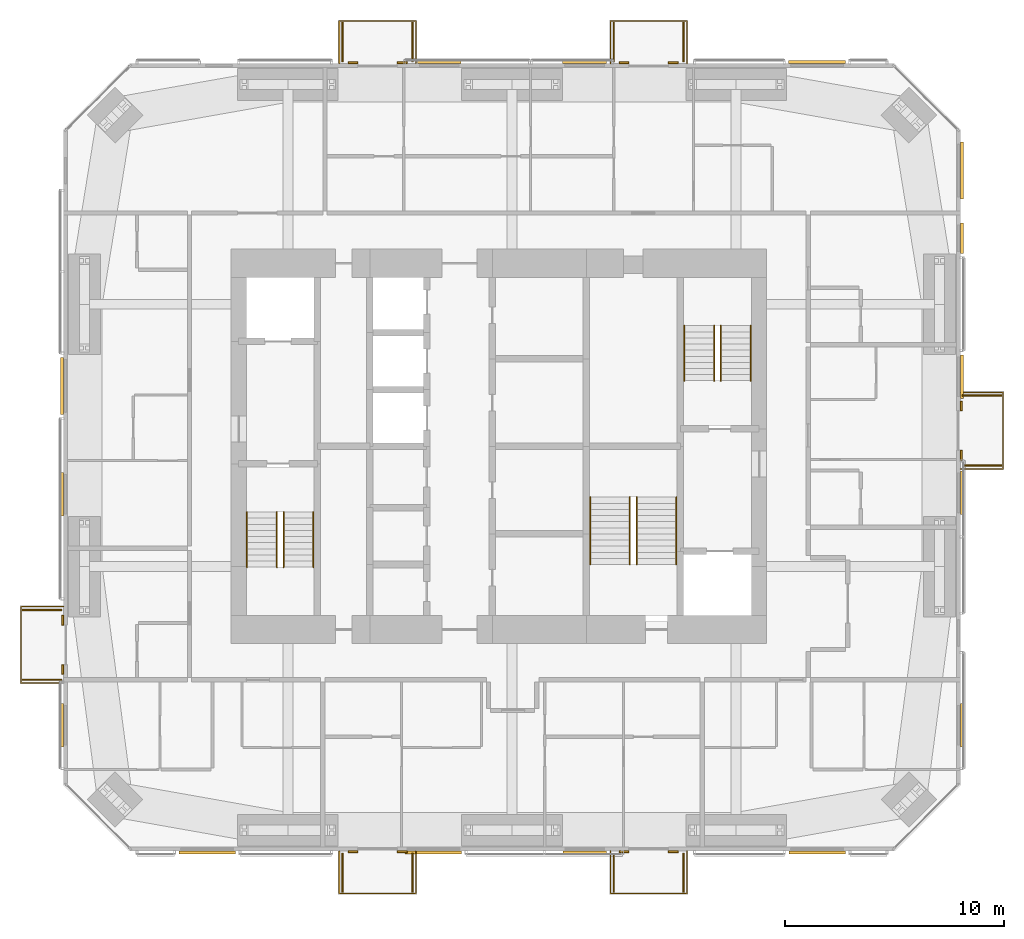
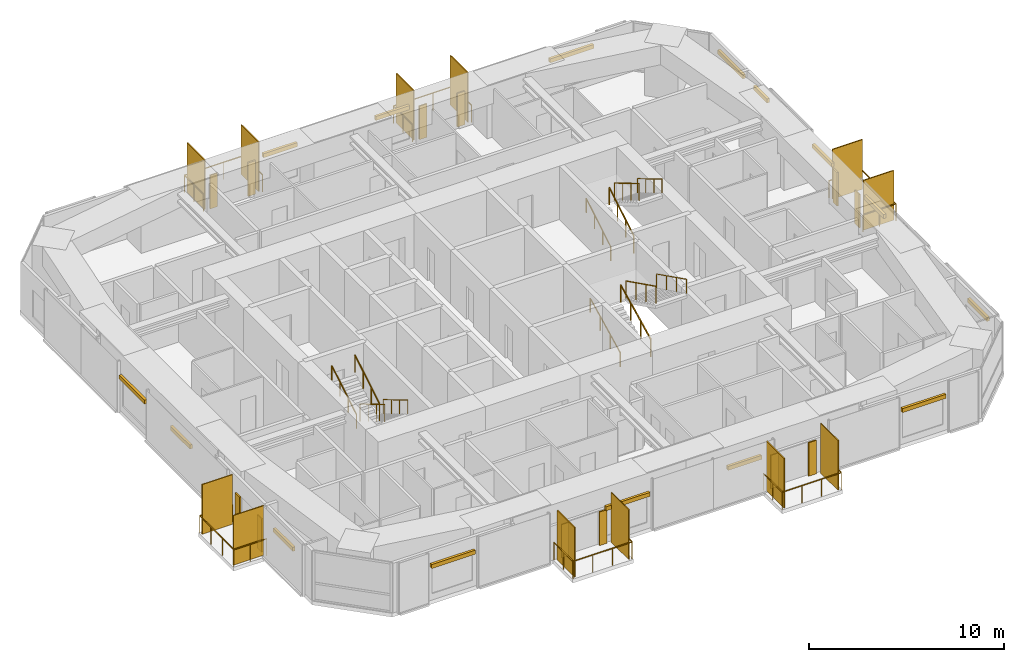
# One storey, part 22 of 22: 39 shading devices, 18 railings.
"""IFC4 building model written with IfcOpenShell, lengths in metres."""

from ifc_helpers import new_model, si_unit, direction, frame, origin, origin_2d, place, context, subcontext, project, spatial, rectangle, circle, extrude, material, layer, layer_set, constituent, constituent_set, type_object, element, save


model = new_model("IFC4")

# Units and contexts
model_context = context("Model", 3, precision=1e-05, world=origin(), true_north=direction((0.0, 1.0)))
body_context = subcontext(model_context, "Body", "Model", "MODEL_VIEW")
ifc_project = project(units=[si_unit("LENGTHUNIT", "METRE"), si_unit("AREAUNIT", "SQUARE_METRE"), si_unit("VOLUMEUNIT", "CUBIC_METRE"), si_unit("PLANEANGLEUNIT", "RADIAN"), si_unit("MASSUNIT", "GRAM", prefix="KILO")], contexts=[model_context])

# Site, building, storey
site_placement = place(None, origin())
site = spatial("IfcSite", under=ifc_project, at=site_placement, CompositionType="ELEMENT")
building_placement = place(site_placement, origin())
building = spatial("IfcBuilding", under=site, at=building_placement, Name="Jalousie Tower", CompositionType="ELEMENT")
storey_placement = place(building_placement, frame((0.0, 0.0, 174.449951171875)))
storey = spatial("IfcBuildingStorey", under=building, at=storey_placement, Name="L47", CompositionType="ELEMENT", Elevation=174.449951171875)

# Shading devices
ifc_material_1 = material(Name="Aluminium impact-rated louvred storm shutter", Category="aluminium")
shading_device_type_1 = type_object("IfcShadingDeviceType", Name="BI-FOLD STORM SHUTTER 900x2100", PredefinedType="SHUTTER", material=ifc_material_1)
for number, where, z_axis, x_axis, name in (
    (1, (25.22509765625, -0.0400390625, 0.0), (0.0, 0.0, 1.0), (1.0, 0.0, 0.0), "Balcony storm shutter L47"),
    (2, (27.47509765625, -0.0400390625, 0.0), (0.0, 0.0, 1.0), (1.0, 0.0, 0.0), "Balcony storm shutter L47"),
    (3, (37.625, -0.0400390625, 0.0), (0.0, 0.0, 1.0), (1.0, 0.0, 0.0), "Balcony storm shutter L47"),
    (4, (39.875, -0.0400390625, 0.0), (0.0, 0.0, 1.0), (1.0, 0.0, 0.0), "Balcony storm shutter L47"),
    (5, (53.0400390625, 18.10009765625, 0.0), (0.0, 0.0, 1.0), (0.0, 1.0, 0.0), "Balcony storm shutter L47"),
    (6, (53.0400390625, 20.35009765625, 0.0), (0.0, 0.0, 1.0), (0.0, 1.0, 0.0), "Balcony storm shutter L47"),
    (7, (39.875, 36.0400390625, 0.0), (0.0, 0.0, 1.0), (-1.0, 0.0, 0.0), "Balcony storm shutter L47"),
    (8, (37.625, 36.0400390625, 0.0), (0.0, 0.0, 1.0), (-1.0, 0.0, 0.0), "Balcony storm shutter L47"),
    (9, (27.47509765625, 36.0400390625, 0.0), (0.0, 0.0, 1.0), (-1.0, 0.0, 0.0), "Balcony storm shutter L47"),
    (10, (25.22509765625, 36.0400390625, 0.0), (0.0, 0.0, 1.0), (-1.0, 0.0, 0.0), "Balcony storm shutter L47"),
    (11, (11.9599609375, 10.550048828125, 0.0), (0.0, 0.0, 1.0), (0.0, -1.0, 0.0), "Balcony storm shutter L47"),
    (12, (11.9599609375, 8.300048828125, 0.0), (0.0, 0.0, 1.0), (0.0, -1.0, 0.0), "Balcony storm shutter L47"),
):
    element("IfcShadingDevice", number, at=place(storey_placement, frame(where, z_axis=z_axis, x_axis=x_axis)), inside=storey, type_object=shading_device_type_1, Name=name, PredefinedType="SHUTTER", context=body_context, shape_type="SweptSolid", body=[
        extrude(rectangle(XDim=0.449951171875, YDim=0.080078125, at=origin_2d()), origin(), (0.0, 0.0, 1.0), 2.10009765625),
    ])

# Railings
ifc_material_2 = material(Name="Powder-coated aluminium fretwork", Category="aluminium")
railing_type_1 = type_object("IfcRailingType", Name="FRETWORK BALUSTRADE 1100", PredefinedType="BALUSTRADE", material=ifc_material_2)
for number, where, name in (
    (13, (24.60009765625, 0.0, 0.0), "Balcony fretwork balustrade L47"),
    (14, (37.0, 0.0, 0.0), "Balcony fretwork balustrade L47"),
):
    element("IfcRailing", number, at=place(storey_placement, frame(where)), inside=storey, type_object=railing_type_1, Name=name, PredefinedType="BALUSTRADE", context=body_context, shape_type="SweptSolid", body=[
        extrude(rectangle(XDim=0.048095703125, YDim=0.048095703125, at=origin_2d()), frame((0.0, 0.0, 1.076171875), z_axis=(0.0, -1.0, 0.0), x_axis=(1.0, 0.0, 0.0)), (0.0, 0.0, 1.0), 1.949951171875),
        extrude(rectangle(XDim=0.048095703125, YDim=0.048095703125, at=origin_2d()), frame((0.0, -1.949951171875, 1.076171875), z_axis=(1.0, 0.0, 0.0), x_axis=(0.0, 1.0, 0.0)), (0.0, 0.0, 1.0), 3.5),
        extrude(rectangle(XDim=0.048095703125, YDim=0.048095703125, at=origin_2d()), frame((3.5, -1.949951171875, 1.076171875), z_axis=(0.0, 1.0, 0.0), x_axis=(-1.0, 0.0, 0.0)), (0.0, 0.0, 1.0), 1.949951171875),
        extrude(circle(Radius=0.02099609375, at=origin_2d()), origin(), (0.0, 0.0, 1.0), 1.052001953125),
        extrude(circle(Radius=0.02099609375, at=origin_2d()), frame((0.0, -0.97509765625, 0.0)), (0.0, 0.0, 1.0), 1.052001953125),
        extrude(circle(Radius=0.02099609375, at=origin_2d()), frame((0.0, -1.949951171875, 0.0)), (0.0, 0.0, 1.0), 1.052001953125),
        extrude(circle(Radius=0.02099609375, at=origin_2d()), frame((1.166748046875, -1.949951171875, 0.0)), (0.0, 0.0, 1.0), 1.052001953125),
        extrude(circle(Radius=0.02099609375, at=origin_2d()), frame((2.333251953125, -1.949951171875, 0.0)), (0.0, 0.0, 1.0), 1.052001953125),
        extrude(circle(Radius=0.02099609375, at=origin_2d()), frame((3.5, -1.949951171875, 0.0)), (0.0, 0.0, 1.0), 1.052001953125),
        extrude(circle(Radius=0.02099609375, at=origin_2d()), frame((3.5, -0.97509765625, 0.0)), (0.0, 0.0, 1.0), 1.052001953125),
        extrude(circle(Radius=0.02099609375, at=origin_2d()), frame((3.5, 0.0, 0.0)), (0.0, 0.0, 1.0), 1.052001953125),
    ])
railing_1_placement = place(storey_placement, frame((53.0, 17.47509765625, 0.0)))
element("IfcRailing", 15, at=railing_1_placement, inside=storey, type_object=railing_type_1, Name="Balcony fretwork balustrade L47", PredefinedType="BALUSTRADE", context=body_context, shape_type="SweptSolid", body=[
    extrude(rectangle(XDim=0.048095703125, YDim=0.048095703125, at=origin_2d()), frame((0.0, 0.0, 1.076171875), z_axis=(1.0, 0.0, 0.0), x_axis=(0.0, 1.0, 0.0)), (0.0, 0.0, 1.0), 1.949951171875),
    extrude(rectangle(XDim=0.048095703125, YDim=0.048095703125, at=origin_2d()), frame((1.949951171875, 0.0, 1.076171875), z_axis=(0.0, 1.0, 0.0), x_axis=(-1.0, 0.0, 0.0)), (0.0, 0.0, 1.0), 3.5),
    extrude(rectangle(XDim=0.048095703125, YDim=0.048095703125, at=origin_2d()), frame((1.949951171875, 3.5, 1.076171875), z_axis=(-1.0, 0.0, 0.0), x_axis=(0.0, -1.0, 0.0)), (0.0, 0.0, 1.0), 1.949951171875),
    extrude(circle(Radius=0.02099609375, at=origin_2d()), origin(), (0.0, 0.0, 1.0), 1.052001953125),
    extrude(circle(Radius=0.02099609375, at=origin_2d()), frame((0.97509765625, 0.0, 0.0)), (0.0, 0.0, 1.0), 1.052001953125),
    extrude(circle(Radius=0.02099609375, at=origin_2d()), frame((1.949951171875, 0.0, 0.0)), (0.0, 0.0, 1.0), 1.052001953125),
    extrude(circle(Radius=0.02099609375, at=origin_2d()), frame((1.949951171875, 1.166748046875, 0.0)), (0.0, 0.0, 1.0), 1.052001953125),
    extrude(circle(Radius=0.02099609375, at=origin_2d()), frame((1.949951171875, 2.333251953125, 0.0)), (0.0, 0.0, 1.0), 1.052001953125),
    extrude(circle(Radius=0.02099609375, at=origin_2d()), frame((1.949951171875, 3.5, 0.0)), (0.0, 0.0, 1.0), 1.052001953125),
    extrude(circle(Radius=0.02099609375, at=origin_2d()), frame((0.97509765625, 3.5, 0.0)), (0.0, 0.0, 1.0), 1.052001953125),
    extrude(circle(Radius=0.02099609375, at=origin_2d()), frame((0.0, 3.5, 0.0)), (0.0, 0.0, 1.0), 1.052001953125),
])
for number, where, name in (
    (16, (40.5, 36.0, 0.0), "Balcony fretwork balustrade L47"),
    (17, (28.10009765625, 36.0, 0.0), "Balcony fretwork balustrade L47"),
):
    element("IfcRailing", number, at=place(storey_placement, frame(where)), inside=storey, type_object=railing_type_1, Name=name, PredefinedType="BALUSTRADE", context=body_context, shape_type="SweptSolid", body=[
        extrude(rectangle(XDim=0.048095703125, YDim=0.048095703125, at=origin_2d()), frame((0.0, 0.0, 1.076171875), z_axis=(0.0, 1.0, 0.0), x_axis=(-1.0, 0.0, 0.0)), (0.0, 0.0, 1.0), 1.949951171875),
        extrude(rectangle(XDim=0.048095703125, YDim=0.048095703125, at=origin_2d()), frame((0.0, 1.949951171875, 1.076171875), z_axis=(-1.0, 0.0, 0.0), x_axis=(0.0, -1.0, 0.0)), (0.0, 0.0, 1.0), 3.5),
        extrude(rectangle(XDim=0.048095703125, YDim=0.048095703125, at=origin_2d()), frame((-3.5, 1.949951171875, 1.076171875), z_axis=(0.0, -1.0, 0.0), x_axis=(1.0, 0.0, 0.0)), (0.0, 0.0, 1.0), 1.949951171875),
        extrude(circle(Radius=0.02099609375, at=origin_2d()), origin(), (0.0, 0.0, 1.0), 1.052001953125),
        extrude(circle(Radius=0.02099609375, at=origin_2d()), frame((0.0, 0.97509765625, 0.0)), (0.0, 0.0, 1.0), 1.052001953125),
        extrude(circle(Radius=0.02099609375, at=origin_2d()), frame((0.0, 1.949951171875, 0.0)), (0.0, 0.0, 1.0), 1.052001953125),
        extrude(circle(Radius=0.02099609375, at=origin_2d()), frame((-1.166748046875, 1.949951171875, 0.0)), (0.0, 0.0, 1.0), 1.052001953125),
        extrude(circle(Radius=0.02099609375, at=origin_2d()), frame((-2.333251953125, 1.949951171875, 0.0)), (0.0, 0.0, 1.0), 1.052001953125),
        extrude(circle(Radius=0.02099609375, at=origin_2d()), frame((-3.5, 1.949951171875, 0.0)), (0.0, 0.0, 1.0), 1.052001953125),
        extrude(circle(Radius=0.02099609375, at=origin_2d()), frame((-3.5, 0.97509765625, 0.0)), (0.0, 0.0, 1.0), 1.052001953125),
        extrude(circle(Radius=0.02099609375, at=origin_2d()), frame((-3.5, 0.0, 0.0)), (0.0, 0.0, 1.0), 1.052001953125),
    ])
railing_2_placement = place(storey_placement, frame((12.0, 11.175048828125, 0.0)))
element("IfcRailing", 18, at=railing_2_placement, inside=storey, type_object=railing_type_1, Name="Balcony fretwork balustrade L47", PredefinedType="BALUSTRADE", context=body_context, shape_type="SweptSolid", body=[
    extrude(rectangle(XDim=0.048095703125, YDim=0.048095703125, at=origin_2d()), frame((0.0, 0.0, 1.076171875), z_axis=(-1.0, 0.0, 0.0), x_axis=(0.0, -1.0, 0.0)), (0.0, 0.0, 1.0), 1.949951171875),
    extrude(rectangle(XDim=0.048095703125, YDim=0.048095703125, at=origin_2d()), frame((-1.949951171875, 0.0, 1.076171875), z_axis=(0.0, -1.0, 0.0), x_axis=(1.0, 0.0, 0.0)), (0.0, 0.0, 1.0), 3.5),
    extrude(rectangle(XDim=0.048095703125, YDim=0.048095703125, at=origin_2d()), frame((-1.949951171875, -3.5, 1.076171875), z_axis=(1.0, 0.0, 0.0), x_axis=(0.0, 1.0, 0.0)), (0.0, 0.0, 1.0), 1.949951171875),
    extrude(circle(Radius=0.02099609375, at=origin_2d()), origin(), (0.0, 0.0, 1.0), 1.052001953125),
    extrude(circle(Radius=0.02099609375, at=origin_2d()), frame((-0.97509765625, 0.0, 0.0)), (0.0, 0.0, 1.0), 1.052001953125),
    extrude(circle(Radius=0.02099609375, at=origin_2d()), frame((-1.949951171875, 0.0, 0.0)), (0.0, 0.0, 1.0), 1.052001953125),
    extrude(circle(Radius=0.02099609375, at=origin_2d()), frame((-1.949951171875, -1.166748046875, 0.0)), (0.0, 0.0, 1.0), 1.052001953125),
    extrude(circle(Radius=0.02099609375, at=origin_2d()), frame((-1.949951171875, -2.333251953125, 0.0)), (0.0, 0.0, 1.0), 1.052001953125),
    extrude(circle(Radius=0.02099609375, at=origin_2d()), frame((-1.949951171875, -3.5, 0.0)), (0.0, 0.0, 1.0), 1.052001953125),
    extrude(circle(Radius=0.02099609375, at=origin_2d()), frame((-0.97509765625, -3.5, 0.0)), (0.0, 0.0, 1.0), 1.052001953125),
    extrude(circle(Radius=0.02099609375, at=origin_2d()), frame((0.0, -3.5, 0.0)), (0.0, 0.0, 1.0), 1.052001953125),
])

# Shading devices
ifc_material_3 = material(Name="Powder-coated aluminium louvres", Category="aluminium")
ifc_layer = layer(ifc_material_3, 0.06005859375)
ifc_layer_set = layer_set([ifc_layer], Name="Powder-coated aluminium louvres")
shading_device_type_2 = type_object("IfcShadingDeviceType", Name="JALOUSIE LOUVRE SCREEN", PredefinedType="JALOUSIE", material=ifc_layer_set)
for number, where, z_axis, x_axis, name in (
    (19, (24.75, -1.0, 0.0), (0.0, 0.0, 1.0), (1.0, 0.0, 0.0), "Jalousie louvre screen L47"),
    (20, (27.949951171875, -1.0, 0.0), (0.0, 0.0, 1.0), (1.0, 0.0, 0.0), "Jalousie louvre screen L47"),
    (21, (37.14990234375, -1.0, 0.0), (0.0, 0.0, 1.0), (1.0, 0.0, 0.0), "Jalousie louvre screen L47"),
    (22, (40.35009765625, -1.0, 0.0), (0.0, 0.0, 1.0), (1.0, 0.0, 0.0), "Jalousie louvre screen L47"),
    (23, (54.0, 17.625, 0.0), (0.0, 0.0, 1.0), (0.0, 1.0, 0.0), "Jalousie louvre screen L47"),
    (24, (54.0, 20.824951171875, 0.0), (0.0, 0.0, 1.0), (0.0, 1.0, 0.0), "Jalousie louvre screen L47"),
    (25, (40.35009765625, 37.0, 0.0), (0.0, 0.0, 1.0), (-1.0, 0.0, 0.0), "Jalousie louvre screen L47"),
    (26, (37.14990234375, 37.0, 0.0), (0.0, 0.0, 1.0), (-1.0, 0.0, 0.0), "Jalousie louvre screen L47"),
    (27, (27.949951171875, 37.0, 0.0), (0.0, 0.0, 1.0), (-1.0, 0.0, 0.0), "Jalousie louvre screen L47"),
    (28, (24.75, 37.0, 0.0), (0.0, 0.0, 1.0), (-1.0, 0.0, 0.0), "Jalousie louvre screen L47"),
    (29, (11.0, 11.02490234375, 0.0), (0.0, 0.0, 1.0), (0.0, -1.0, 0.0), "Jalousie louvre screen L47"),
    (30, (11.0, 7.824951171875, 0.0), (0.0, 0.0, 1.0), (0.0, -1.0, 0.0), "Jalousie louvre screen L47"),
):
    element("IfcShadingDevice", number, at=place(storey_placement, frame(where, z_axis=z_axis, x_axis=x_axis)), inside=storey, type_object=shading_device_type_2, Name=name, PredefinedType="JALOUSIE", context=body_context, shape_type="SweptSolid", body=[
        extrude(rectangle(XDim=0.06005859375, YDim=1.800048828125, at=origin_2d()), origin(), (0.0, 0.0, 1.0), 3.110107421875),
    ])

# Railings
ifc_material_4 = material(Name="Steel ASTM A500 Grade C", Category="steel")
ifc_constituent_1 = constituent(ifc_material_4, Name="Body")
ifc_material_5 = material(Name="Hot-dip galvanised zinc coating")
ifc_constituent_2 = constituent(ifc_material_5, Name="Finish")
ifc_constituent_set_1 = constituent_set(constituents=[ifc_constituent_1, ifc_constituent_2])
railing_type_2 = type_object("IfcRailingType", Name="STAIR GUARD 1100", PredefinedType="GUARDRAIL", material=ifc_constituent_set_1)
railing_3_placement = place(storey_placement, frame((22.054931640625, 15.49755859375, 0.16748046875)))
element("IfcRailing", 31, at=railing_3_placement, inside=storey, type_object=railing_type_2, Name="Exit stair A guard L47 flight 1", PredefinedType="GUARDRAIL", context=body_context, shape_type="SweptSolid", body=[
    extrude(rectangle(XDim=0.048095703125, YDim=0.048095703125, at=origin_2d()), frame((0.0, 0.0, 1.076171875), z_axis=(0.0, -0.858159760407, 0.513382728203), x_axis=(1.0, 0.0, 0.0)), (0.0, 0.0, 1.0), 2.9365234375),
    extrude(circle(Radius=0.02099609375, at=origin_2d()), origin(), (0.0, 0.0, 1.0), 1.052001953125),
    extrude(circle(Radius=0.02099609375, at=origin_2d()), frame((0.0, -0.840087890625, 0.50244140625)), (0.0, 0.0, 1.0), 1.052001953125),
    extrude(circle(Radius=0.02099609375, at=origin_2d()), frame((0.0, -1.679931640625, 1.005126953125)), (0.0, 0.0, 1.0), 1.052001953125),
    extrude(circle(Radius=0.02099609375, at=origin_2d()), frame((0.0, -2.52001953125, 1.507568359375)), (0.0, 0.0, 1.0), 1.052001953125),
])
for number, where, name in (
    (32, (21.7451171875, 12.9775390625, 1.842529296875), "Exit stair A guard L47 flight 2"),
    (33, (41.7451171875, 21.50244140625, 0.16748046875), "Exit stair B guard L47 flight 1"),
):
    element("IfcRailing", number, at=place(storey_placement, frame(where)), inside=storey, type_object=railing_type_2, Name=name, PredefinedType="GUARDRAIL", context=body_context, shape_type="SweptSolid", body=[
        extrude(rectangle(XDim=0.048095703125, YDim=0.048095703125, at=origin_2d()), frame((0.0, 0.0, 1.076171875), z_axis=(0.0, 0.858159760407, 0.513382728203), x_axis=(-1.0, 0.0, 0.0)), (0.0, 0.0, 1.0), 2.9365234375),
        extrude(circle(Radius=0.02099609375, at=origin_2d()), origin(), (0.0, 0.0, 1.0), 1.052001953125),
        extrude(circle(Radius=0.02099609375, at=origin_2d()), frame((0.0, 0.840087890625, 0.50244140625)), (0.0, 0.0, 1.0), 1.052001953125),
        extrude(circle(Radius=0.02099609375, at=origin_2d()), frame((0.0, 1.679931640625, 1.005126953125)), (0.0, 0.0, 1.0), 1.052001953125),
        extrude(circle(Radius=0.02099609375, at=origin_2d()), frame((0.0, 2.52001953125, 1.507568359375)), (0.0, 0.0, 1.0), 1.052001953125),
    ])
railing_4_placement = place(storey_placement, frame((42.054931640625, 24.0224609375, 1.842529296875)))
element("IfcRailing", 34, at=railing_4_placement, inside=storey, type_object=railing_type_2, Name="Exit stair B guard L47 flight 2", PredefinedType="GUARDRAIL", context=body_context, shape_type="SweptSolid", body=[
    extrude(rectangle(XDim=0.048095703125, YDim=0.048095703125, at=origin_2d()), frame((0.0, 0.0, 1.076171875), z_axis=(0.0, -0.858159760407, 0.513382728203), x_axis=(1.0, 0.0, 0.0)), (0.0, 0.0, 1.0), 2.9365234375),
    extrude(circle(Radius=0.02099609375, at=origin_2d()), origin(), (0.0, 0.0, 1.0), 1.052001953125),
    extrude(circle(Radius=0.02099609375, at=origin_2d()), frame((0.0, -0.840087890625, 0.50244140625)), (0.0, 0.0, 1.0), 1.052001953125),
    extrude(circle(Radius=0.02099609375, at=origin_2d()), frame((0.0, -1.679931640625, 1.005126953125)), (0.0, 0.0, 1.0), 1.052001953125),
    extrude(circle(Radius=0.02099609375, at=origin_2d()), frame((0.0, -2.52001953125, 1.507568359375)), (0.0, 0.0, 1.0), 1.052001953125),
])
railing_5_placement = place(storey_placement, frame((37.89501953125, 13.097412109375, 0.1396484375)))
element("IfcRailing", 35, at=railing_5_placement, inside=storey, type_object=railing_type_2, Name="Exit stair C guard L47 flight 1", PredefinedType="GUARDRAIL", context=body_context, shape_type="SweptSolid", body=[
    extrude(rectangle(XDim=0.048095703125, YDim=0.048095703125, at=origin_2d()), frame((0.0, 0.0, 1.076171875), z_axis=(0.0, 0.894965676997, 0.446134998624), x_axis=(-1.0, 0.0, 0.0)), (0.0, 0.0, 1.0), 3.441650390625),
    extrude(circle(Radius=0.02099609375, at=origin_2d()), origin(), (0.0, 0.0, 1.0), 1.052001953125),
    extrude(circle(Radius=0.02099609375, at=origin_2d()), frame((0.0, 1.026611328125, 0.51171875)), (0.0, 0.0, 1.0), 1.052001953125),
    extrude(circle(Radius=0.02099609375, at=origin_2d()), frame((0.0, 2.053466796875, 1.023681640625)), (0.0, 0.0, 1.0), 1.052001953125),
    extrude(circle(Radius=0.02099609375, at=origin_2d()), frame((0.0, 3.080078125, 1.535400390625)), (0.0, 0.0, 1.0), 1.052001953125),
])
railing_6_placement = place(storey_placement, frame((38.205078125, 16.177490234375, 1.814697265625)))
element("IfcRailing", 36, at=railing_6_placement, inside=storey, type_object=railing_type_2, Name="Exit stair C guard L47 flight 2", PredefinedType="GUARDRAIL", context=body_context, shape_type="SweptSolid", body=[
    extrude(rectangle(XDim=0.048095703125, YDim=0.048095703125, at=origin_2d()), frame((0.0, 0.0, 1.076171875), z_axis=(0.0, -0.894965676997, 0.446134998624), x_axis=(1.0, 0.0, 0.0)), (0.0, 0.0, 1.0), 3.441650390625),
    extrude(circle(Radius=0.02099609375, at=origin_2d()), origin(), (0.0, 0.0, 1.0), 1.052001953125),
    extrude(circle(Radius=0.02099609375, at=origin_2d()), frame((0.0, -1.026611328125, 0.51171875)), (0.0, 0.0, 1.0), 1.052001953125),
    extrude(circle(Radius=0.02099609375, at=origin_2d()), frame((0.0, -2.053466796875, 1.023681640625)), (0.0, 0.0, 1.0), 1.052001953125),
    extrude(circle(Radius=0.02099609375, at=origin_2d()), frame((0.0, -3.080078125, 1.535400390625)), (0.0, 0.0, 1.0), 1.052001953125),
])
ifc_material_6 = material(Name="Steel ASTM A500 Grade C", Category="steel")
ifc_constituent_3 = constituent(ifc_material_6, Name="Body")
ifc_material_7 = material(Name="Hot-dip galvanised zinc coating")
ifc_constituent_4 = constituent(ifc_material_7, Name="Finish")
ifc_constituent_set_2 = constituent_set(constituents=[ifc_constituent_3, ifc_constituent_4])
railing_type_3 = type_object("IfcRailingType", Name="STAIR HANDRAIL 900", PredefinedType="HANDRAIL", material=ifc_constituent_set_2)
railing_7_placement = place(storey_placement, frame((23.419921875, 15.49755859375, 0.16748046875)))
element("IfcRailing", 37, at=railing_7_placement, inside=storey, type_object=railing_type_3, Name="Exit stair A handrail L47 flight 1", PredefinedType="HANDRAIL", context=body_context, shape_type="SweptSolid", body=[
    extrude(circle(Radius=0.02392578125, at=origin_2d()), frame((0.0, 0.0, 0.8759765625), z_axis=(0.0, -0.858159760407, 0.513382728203), x_axis=(1.0, 0.0, 0.0)), (0.0, 0.0, 1.0), 2.9365234375),
    extrude(circle(Radius=0.02099609375, at=origin_2d()), origin(), (0.0, 0.0, 1.0), 0.851806640625),
    extrude(circle(Radius=0.02099609375, at=origin_2d()), frame((0.0, -0.840087890625, 0.50244140625)), (0.0, 0.0, 1.0), 0.851806640625),
    extrude(circle(Radius=0.02099609375, at=origin_2d()), frame((0.0, -1.679931640625, 1.005126953125)), (0.0, 0.0, 1.0), 0.851806640625),
    extrude(circle(Radius=0.02099609375, at=origin_2d()), frame((0.0, -2.52001953125, 1.507568359375)), (0.0, 0.0, 1.0), 0.851806640625),
])
for number, where, name in (
    (38, (20.3798828125, 12.9775390625, 1.842529296875), "Exit stair A handrail L47 flight 2"),
    (39, (40.3798828125, 21.50244140625, 0.16748046875), "Exit stair B handrail L47 flight 1"),
):
    element("IfcRailing", number, at=place(storey_placement, frame(where)), inside=storey, type_object=railing_type_3, Name=name, PredefinedType="HANDRAIL", context=body_context, shape_type="SweptSolid", body=[
        extrude(circle(Radius=0.02392578125, at=origin_2d()), frame((0.0, 0.0, 0.8759765625), z_axis=(0.0, 0.858159760407, 0.513382728203), x_axis=(-1.0, 0.0, 0.0)), (0.0, 0.0, 1.0), 2.9365234375),
        extrude(circle(Radius=0.02099609375, at=origin_2d()), origin(), (0.0, 0.0, 1.0), 0.851806640625),
        extrude(circle(Radius=0.02099609375, at=origin_2d()), frame((0.0, 0.840087890625, 0.50244140625)), (0.0, 0.0, 1.0), 0.851806640625),
        extrude(circle(Radius=0.02099609375, at=origin_2d()), frame((0.0, 1.679931640625, 1.005126953125)), (0.0, 0.0, 1.0), 0.851806640625),
        extrude(circle(Radius=0.02099609375, at=origin_2d()), frame((0.0, 2.52001953125, 1.507568359375)), (0.0, 0.0, 1.0), 0.851806640625),
    ])
railing_8_placement = place(storey_placement, frame((43.419921875, 24.0224609375, 1.842529296875)))
element("IfcRailing", 40, at=railing_8_placement, inside=storey, type_object=railing_type_3, Name="Exit stair B handrail L47 flight 2", PredefinedType="HANDRAIL", context=body_context, shape_type="SweptSolid", body=[
    extrude(circle(Radius=0.02392578125, at=origin_2d()), frame((0.0, 0.0, 0.8759765625), z_axis=(0.0, -0.858159760407, 0.513382728203), x_axis=(1.0, 0.0, 0.0)), (0.0, 0.0, 1.0), 2.9365234375),
    extrude(circle(Radius=0.02099609375, at=origin_2d()), origin(), (0.0, 0.0, 1.0), 0.851806640625),
    extrude(circle(Radius=0.02099609375, at=origin_2d()), frame((0.0, -0.840087890625, 0.50244140625)), (0.0, 0.0, 1.0), 0.851806640625),
    extrude(circle(Radius=0.02099609375, at=origin_2d()), frame((0.0, -1.679931640625, 1.005126953125)), (0.0, 0.0, 1.0), 0.851806640625),
    extrude(circle(Radius=0.02099609375, at=origin_2d()), frame((0.0, -2.52001953125, 1.507568359375)), (0.0, 0.0, 1.0), 0.851806640625),
])
railing_9_placement = place(storey_placement, frame((36.080078125, 13.097412109375, 0.1396484375)))
element("IfcRailing", 41, at=railing_9_placement, inside=storey, type_object=railing_type_3, Name="Exit stair C handrail L47 flight 1", PredefinedType="HANDRAIL", context=body_context, shape_type="SweptSolid", body=[
    extrude(circle(Radius=0.02392578125, at=origin_2d()), frame((0.0, 0.0, 0.8759765625), z_axis=(0.0, 0.894965676997, 0.446134998624), x_axis=(-1.0, 0.0, 0.0)), (0.0, 0.0, 1.0), 3.441650390625),
    extrude(circle(Radius=0.02099609375, at=origin_2d()), origin(), (0.0, 0.0, 1.0), 0.851806640625),
    extrude(circle(Radius=0.02099609375, at=origin_2d()), frame((0.0, 1.026611328125, 0.51171875)), (0.0, 0.0, 1.0), 0.851806640625),
    extrude(circle(Radius=0.02099609375, at=origin_2d()), frame((0.0, 2.053466796875, 1.023681640625)), (0.0, 0.0, 1.0), 0.851806640625),
    extrude(circle(Radius=0.02099609375, at=origin_2d()), frame((0.0, 3.080078125, 1.535400390625)), (0.0, 0.0, 1.0), 0.851806640625),
])
railing_10_placement = place(storey_placement, frame((40.02001953125, 16.177490234375, 1.814697265625)))
element("IfcRailing", 42, at=railing_10_placement, inside=storey, type_object=railing_type_3, Name="Exit stair C handrail L47 flight 2", PredefinedType="HANDRAIL", context=body_context, shape_type="SweptSolid", body=[
    extrude(circle(Radius=0.02392578125, at=origin_2d()), frame((0.0, 0.0, 0.8759765625), z_axis=(0.0, -0.894965676997, 0.446134998624), x_axis=(1.0, 0.0, 0.0)), (0.0, 0.0, 1.0), 3.441650390625),
    extrude(circle(Radius=0.02099609375, at=origin_2d()), origin(), (0.0, 0.0, 1.0), 0.851806640625),
    extrude(circle(Radius=0.02099609375, at=origin_2d()), frame((0.0, -1.026611328125, 0.51171875)), (0.0, 0.0, 1.0), 0.851806640625),
    extrude(circle(Radius=0.02099609375, at=origin_2d()), frame((0.0, -2.053466796875, 1.023681640625)), (0.0, 0.0, 1.0), 0.851806640625),
    extrude(circle(Radius=0.02099609375, at=origin_2d()), frame((0.0, -3.080078125, 1.535400390625)), (0.0, 0.0, 1.0), 0.851806640625),
])

# Shading devices
ifc_material_8 = material(Name="Aluminium roller storm shutter", Category="aluminium")
shading_device_type_3 = type_object("IfcShadingDeviceType", Name="STORM SHUTTER HOUSING", PredefinedType="SHUTTER", material=ifc_material_8)
for number, where, z_axis, x_axis, name in (
    (43, (18.560791015625, -0.074951171875, 2.10009765625), (0.0, 0.0, 1.0), (1.0, 0.0, 0.0), "Storm shutter L47"),
    (44, (28.89990234375, -0.074951171875, 2.10009765625), (0.0, 0.0, 1.0), (1.0, 0.0, 0.0), "Storm shutter L47"),
):
    element("IfcShadingDevice", number, at=place(storey_placement, frame(where, z_axis=z_axis, x_axis=x_axis)), inside=storey, type_object=shading_device_type_3, Name=name, PredefinedType="SHUTTER", context=body_context, shape_type="SweptSolid", body=[
        extrude(rectangle(XDim=2.60009765625, YDim=0.14990234375, at=origin_2d()), origin(), (0.0, 0.0, 1.0), 0.25),
    ])
shading_device_1_placement = place(storey_placement, frame((35.824951171875, -0.074951171875, 2.10009765625), z_axis=(0.0, 0.0, 1.0), x_axis=(1.0, 0.0, 0.0)))
element("IfcShadingDevice", 45, at=shading_device_1_placement, inside=storey, type_object=shading_device_type_3, Name="Storm shutter L47", PredefinedType="SHUTTER", context=body_context, shape_type="SweptSolid", body=[
    extrude(rectangle(XDim=2.0, YDim=0.14990234375, at=origin_2d()), origin(), (0.0, 0.0, 1.0), 0.25),
])
shading_device_2_placement = place(storey_placement, frame((46.456787109375, -0.074951171875, 2.10009765625), z_axis=(0.0, 0.0, 1.0), x_axis=(1.0, 0.0, 0.0)))
element("IfcShadingDevice", 46, at=shading_device_2_placement, inside=storey, type_object=shading_device_type_3, Name="Storm shutter L47", PredefinedType="SHUTTER", context=body_context, shape_type="SweptSolid", body=[
    extrude(rectangle(XDim=2.60009765625, YDim=0.14990234375, at=origin_2d()), origin(), (0.0, 0.0, 1.0), 0.25),
])
for number, where, z_axis, x_axis, name in (
    (47, (53.074951171875, 5.748046875, 2.10009765625), (0.0, 0.0, 1.0), (0.0, 1.0, 0.0), "Storm shutter L47"),
    (48, (53.074951171875, 16.375, 2.10009765625), (0.0, 0.0, 1.0), (0.0, 1.0, 0.0), "Storm shutter L47"),
    (49, (53.074951171875, 21.6875, 2.10009765625), (0.0, 0.0, 1.0), (0.0, 1.0, 0.0), "Storm shutter L47"),
):
    element("IfcShadingDevice", number, at=place(storey_placement, frame(where, z_axis=z_axis, x_axis=x_axis)), inside=storey, type_object=shading_device_type_3, Name=name, PredefinedType="SHUTTER", context=body_context, shape_type="SweptSolid", body=[
        extrude(rectangle(XDim=2.0, YDim=0.14990234375, at=origin_2d()), origin(), (0.0, 0.0, 1.0), 0.25),
    ])
shading_device_3_placement = place(storey_placement, frame((53.074951171875, 28.0244140625, 2.10009765625), z_axis=(0.0, 0.0, 1.0), x_axis=(0.0, 1.0, 0.0)))
element("IfcShadingDevice", 50, at=shading_device_3_placement, inside=storey, type_object=shading_device_type_3, Name="Storm shutter L47", PredefinedType="SHUTTER", context=body_context, shape_type="SweptSolid", body=[
    extrude(rectangle(XDim=1.39990234375, YDim=0.14990234375, at=origin_2d()), origin(), (0.0, 0.0, 1.0), 0.25),
])
for number, where, z_axis, x_axis, name in (
    (51, (53.074951171875, 31.11181640625, 2.10009765625), (0.0, 0.0, 1.0), (0.0, 1.0, 0.0), "Storm shutter L47"),
    (52, (46.44921875, 36.074951171875, 2.10009765625), (0.0, 0.0, 1.0), (-1.0, 0.0, 0.0), "Storm shutter L47"),
):
    element("IfcShadingDevice", number, at=place(storey_placement, frame(where, z_axis=z_axis, x_axis=x_axis)), inside=storey, type_object=shading_device_type_3, Name=name, PredefinedType="SHUTTER", context=body_context, shape_type="SweptSolid", body=[
        extrude(rectangle(XDim=2.60009765625, YDim=0.14990234375, at=origin_2d()), origin(), (0.0, 0.0, 1.0), 0.25),
    ])
for number, where, z_axis, x_axis, name in (
    (53, (35.820068359375, 36.074951171875, 2.10009765625), (0.0, 0.0, 1.0), (-1.0, 0.0, 0.0), "Storm shutter L47"),
    (54, (29.169921875, 36.074951171875, 2.10009765625), (0.0, 0.0, 1.0), (-1.0, 0.0, 0.0), "Storm shutter L47"),
):
    element("IfcShadingDevice", number, at=place(storey_placement, frame(where, z_axis=z_axis, x_axis=x_axis)), inside=storey, type_object=shading_device_type_3, Name=name, PredefinedType="SHUTTER", context=body_context, shape_type="SweptSolid", body=[
        extrude(rectangle(XDim=2.0, YDim=0.14990234375, at=origin_2d()), origin(), (0.0, 0.0, 1.0), 0.25),
    ])
shading_device_4_placement = place(storey_placement, frame((11.925048828125, 21.266845703125, 2.10009765625), z_axis=(0.0, 0.0, 1.0), x_axis=(0.0, -1.0, 0.0)))
element("IfcShadingDevice", 55, at=shading_device_4_placement, inside=storey, type_object=shading_device_type_3, Name="Storm shutter L47", PredefinedType="SHUTTER", context=body_context, shape_type="SweptSolid", body=[
    extrude(rectangle(XDim=2.60009765625, YDim=0.14990234375, at=origin_2d()), origin(), (0.0, 0.0, 1.0), 0.25),
])
for number, where, z_axis, x_axis, name in (
    (56, (11.925048828125, 16.313720703125, 2.10009765625), (0.0, 0.0, 1.0), (0.0, -1.0, 0.0), "Storm shutter L47"),
    (57, (11.925048828125, 5.748291015625, 2.10009765625), (0.0, 0.0, 1.0), (0.0, -1.0, 0.0), "Storm shutter L47"),
):
    element("IfcShadingDevice", number, at=place(storey_placement, frame(where, z_axis=z_axis, x_axis=x_axis)), inside=storey, type_object=shading_device_type_3, Name=name, PredefinedType="SHUTTER", context=body_context, shape_type="SweptSolid", body=[
        extrude(rectangle(XDim=2.0, YDim=0.14990234375, at=origin_2d()), origin(), (0.0, 0.0, 1.0), 0.25),
    ])

save(model, "model.ifc")
